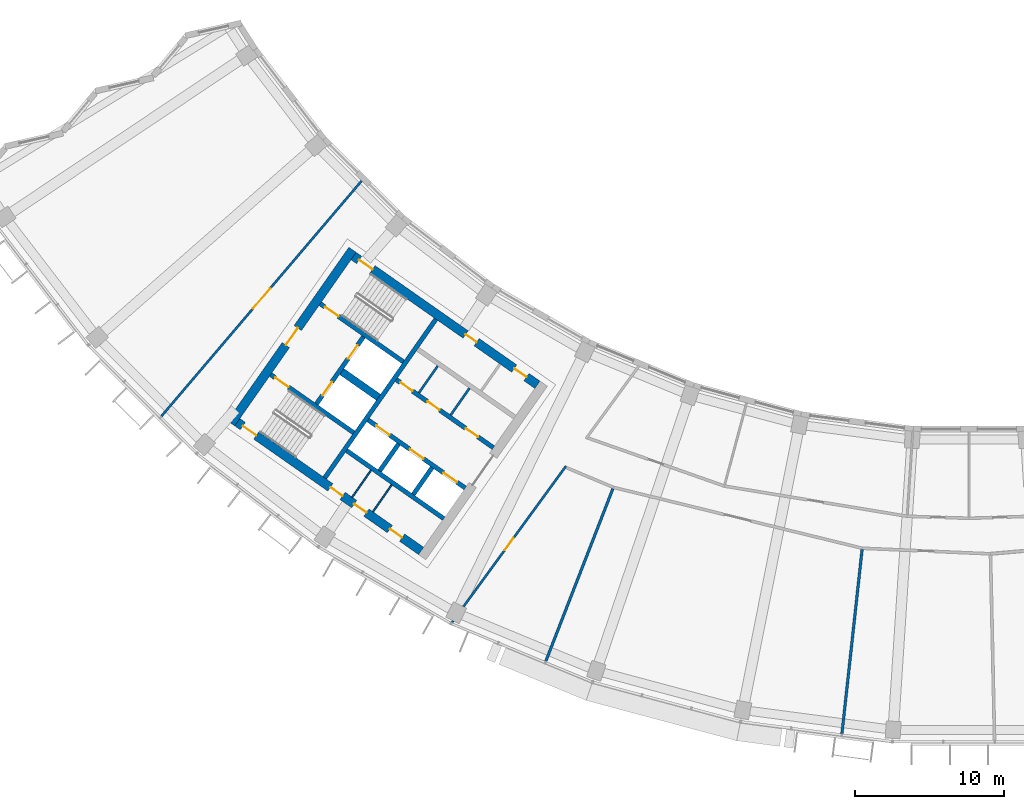
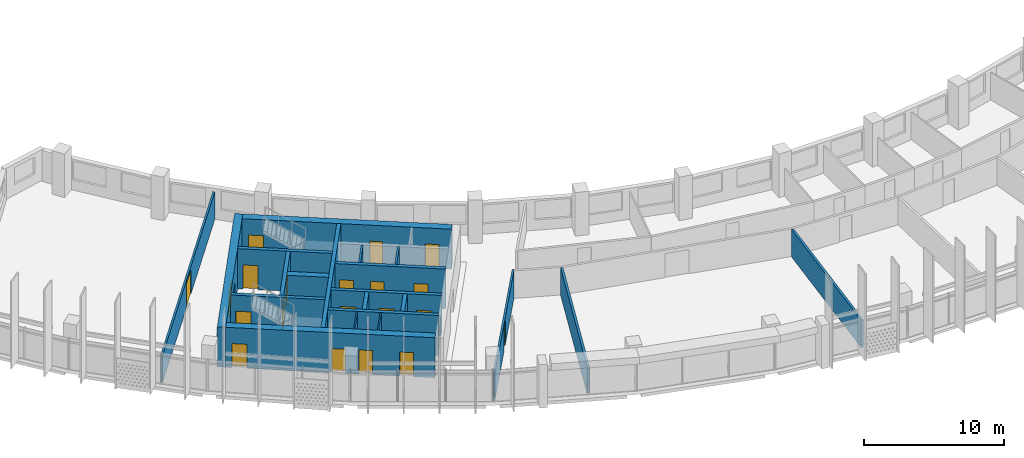
# One storey, part 3 of 28: 21 walls, 20 doors, 20 openings.
"""IFC4 building model written with IfcOpenShell, lengths in metres."""

import ifcopenshell
import ifcopenshell.guid

model = None  # the IFC model being written
_history = None  # IfcOwnerHistory: only IFC2X3 demands one
_inside = {}  # id of a spatial element -> (the spatial element, [elements in it])
_under = {}  # id of a project, library or spatial element -> (it, [spatial elements below it])
_declared = {}  # id of a project -> (the project, [libraries it declares])
_typed = {}  # id of a type object -> (the type object, [elements of that type])
_made_of = {}  # id of a material, layer set ... -> (it, [elements and type objects made of it])


def new_model(schema):
    """Start an empty IFC model of exactly this schema.

    Asked for "IFC4X3", IfcOpenShell would pick the latest addendum, in which some entities
    have other attributes; the version numbers below select the first issue.
    IFC2X3 requires an IfcOwnerHistory on every rooted entity: one is made here for all.
    """
    global model, _history
    if schema == "IFC4X3":
        model = ifcopenshell.file(schema_version=(4, 3, 0, 0))
    else:
        model = ifcopenshell.file(schema=schema)
    _inside.clear()
    _under.clear()
    _declared.clear()
    _typed.clear()
    _made_of.clear()
    _history = None
    if model.schema == "IFC2X3":
        org = make("IfcOrganization", Name="unknown")
        user = make(
            "IfcPersonAndOrganization",
            ThePerson=make("IfcPerson", FamilyName="unknown"),
            TheOrganization=org,
        )
        app = make(
            "IfcApplication",
            ApplicationDeveloper=org,
            Version="unknown",
            ApplicationFullName="unknown",
            ApplicationIdentifier="unknown",
        )
        _history = make(
            "IfcOwnerHistory",
            OwningUser=user,
            OwningApplication=app,
            ChangeAction="ADDED",
            CreationDate=0,
        )
    return model


def make(cls, **values):
    """One entity of the class cls with the attributes given. An attribute that is None is left unset."""
    return model.create_entity(
        cls, **{name: value for name, value in values.items() if value is not None}
    )


def rooted(cls, **values):
    """An entity with a GlobalId (a new one), such as an element, a storey or a relation."""
    return make(cls, GlobalId=ifcopenshell.guid.new(), OwnerHistory=_history, **values)


def si_unit(unit_type, name, prefix=None):
    """IfcSIUnit, for example si_unit("LENGTHUNIT", "METRE", prefix="MILLI")."""
    return make("IfcSIUnit", UnitType=unit_type, Prefix=prefix, Name=name)


def assignment(units):
    """IfcUnitAssignment: the units of a project."""
    return None if units is None else make("IfcUnitAssignment", Units=units)


def point(xyz):
    """IfcCartesianPoint."""
    return None if xyz is None else make("IfcCartesianPoint", Coordinates=xyz)


def direction(xyz):
    """IfcDirection."""
    return None if xyz is None else make("IfcDirection", DirectionRatios=xyz)


def frame(location, z_axis=None, x_axis=None):
    """IfcAxis2Placement3D, a coordinate frame: its origin and axes. An axis left out is left unset."""
    return make(
        "IfcAxis2Placement3D",
        Location=point(location),
        Axis=direction(z_axis),
        RefDirection=direction(x_axis),
    )


def frame_2d(location, x_axis=None):
    """IfcAxis2Placement2D, a coordinate frame in the plane: its origin and x axis."""
    return make(
        "IfcAxis2Placement2D", Location=point(location), RefDirection=direction(x_axis)
    )


def origin():
    """The frame at (0, 0, 0) with its axes left unset."""
    return frame((0.0, 0.0, 0.0))


def place(relative_to, where):
    """IfcLocalPlacement: puts the frame where relative to a parent placement (None: the world)."""
    return make(
        "IfcLocalPlacement", PlacementRelTo=relative_to, RelativePlacement=where
    )


def context(
    kind, dimensions, precision=None, world=None, true_north=None, identifier=None
):
    """IfcGeometricRepresentationContext, for example the 3D "Model" context."""
    return make(
        "IfcGeometricRepresentationContext",
        ContextIdentifier=identifier,
        ContextType=kind,
        CoordinateSpaceDimension=dimensions,
        Precision=precision,
        WorldCoordinateSystem=world,
        TrueNorth=true_north,
    )


def subcontext(parent, identifier, kind, view, scale=None):
    """IfcGeometricRepresentationSubContext, for example "Body" below "Model"."""
    return make(
        "IfcGeometricRepresentationSubContext",
        ContextIdentifier=identifier,
        ContextType=kind,
        ParentContext=parent,
        TargetScale=scale,
        TargetView=view,
    )


def project(units=None, contexts=None):
    """IfcProject with its units and contexts."""
    return rooted(
        "IfcProject",
        Name="project",
        RepresentationContexts=contexts,
        UnitsInContext=assignment(units),
    )


def spatial(cls, under=None, at=None, **own):
    """A site, building, storey or space (cls), placed at a placement, below another one or the project."""
    s = rooted(cls, ObjectPlacement=at, **own)
    if under is not None:
        _under.setdefault(under.id(), (under, []))[1].append(s)
    return s


def profile(cls, at=None, kind="AREA", **sizes):
    """A parametric profile (cls). Its sizes go by their IFC names, for example OverallWidth=200.0."""
    return make(cls, ProfileType=kind, Position=at, **sizes)


def rectangle(**sizes):
    """IfcRectangleProfileDef."""
    return profile("IfcRectangleProfileDef", **sizes)


def extrude(swept, where, along, depth):
    """IfcExtrudedAreaSolid: the profile swept, set in the frame where, extruded along a direction by depth."""
    return make(
        "IfcExtrudedAreaSolid",
        SweptArea=swept,
        Position=where,
        ExtrudedDirection=direction(along),
        Depth=depth,
    )


def shape(context_of_items, identifier, shape_type, items):
    """IfcShapeRepresentation: the items that make up one representation, for example the "Body"."""
    return make(
        "IfcShapeRepresentation",
        ContextOfItems=context_of_items,
        RepresentationIdentifier=identifier,
        RepresentationType=shape_type,
        Items=items,
    )


def material(Name=None, Category=None):
    """IfcMaterial."""
    return make("IfcMaterial", Name=Name, Category=Category)


def layer(
    of_material, thickness, ventilated=None, Name=None, Category=None, Priority=None
):
    """IfcMaterialLayer: one layer of a wall or slab, of a material (None: an air gap)."""
    return make(
        "IfcMaterialLayer",
        Material=of_material,
        LayerThickness=thickness,
        IsVentilated=ventilated,
        Name=Name,
        Category=Category,
        Priority=Priority,
    )


def layer_set(layers, Name=None):
    """IfcMaterialLayerSet."""
    return make("IfcMaterialLayerSet", MaterialLayers=layers, LayerSetName=Name)


def made_of(thing, what):
    """Note that an element or type object is made of a material, layer set ...; save() writes the relation."""
    if what is not None:
        _made_of.setdefault(what.id(), (what, []))[1].append(thing)
    return thing


def type_object(cls, material=None, **own):
    """A type object (cls), such as IfcWallType, which elements share."""
    return made_of(rooted(cls, **own), material)


def element(
    cls,
    number,
    at=None,
    inside=None,
    cuts=None,
    type_object=None,
    material=None,
    context=None,
    identifier="Body",
    shape_type=None,
    held_by="IfcProductDefinitionShape",
    body=None,
    shapes=None,
    **own,
):
    """One element of the class cls, such as IfcWall. Its Tag is "e" and its number.

    at: its placement. inside: the storey or other place that contains it. cuts: it is an
    opening in that element (IfcRelVoidsElement). A single representation is given by context,
    identifier, shape_type and body (its items); several are given by shapes. held_by: the class
    of the entity that holds the representations. save() writes the other relations.
    """
    e = rooted(cls, Tag="e%d" % number, ObjectPlacement=at, **own)
    if body is not None:
        shapes = [shape(context, identifier, shape_type, body)]
    if shapes is not None:
        e.Representation = make(held_by, Representations=shapes)
    if inside is not None:
        _inside.setdefault(inside.id(), (inside, []))[1].append(e)
    if cuts is not None:
        rooted(
            "IfcRelVoidsElement", RelatingBuildingElement=cuts, RelatedOpeningElement=e
        )
    if type_object is not None:
        _typed.setdefault(type_object.id(), (type_object, []))[1].append(e)
    return made_of(e, material)


def fill(opening, filler):
    """IfcRelFillsElement: the door or window that sits in an opening."""
    return rooted(
        "IfcRelFillsElement",
        RelatingOpeningElement=opening,
        RelatedBuildingElement=filler,
    )


def aggregate(whole, parts):
    """IfcRelAggregates: a whole, such as a stair, and the parts it consists of."""
    return rooted("IfcRelAggregates", RelatingObject=whole, RelatedObjects=parts)


def save(model, path):
    """Write the relations noted so far, then the file.

    IfcRelAggregates (storeys below a building ...), IfcRelContainedInSpatialStructure (elements
    in a storey), IfcRelDefinesByType, IfcRelAssociatesMaterial and IfcRelDeclares: one each for
    every whole, place, type object, material and project.
    """
    for whole, parts in _under.values():
        aggregate(whole, parts)
    for where, things in _inside.values():
        rooted(
            "IfcRelContainedInSpatialStructure",
            RelatedElements=things,
            RelatingStructure=where,
        )
    for kind, things in _typed.values():
        rooted("IfcRelDefinesByType", RelatedObjects=things, RelatingType=kind)
    for what, things in _made_of.values():
        rooted("IfcRelAssociatesMaterial", RelatedObjects=things, RelatingMaterial=what)
    for by, libraries in _declared.values():
        rooted("IfcRelDeclares", RelatingContext=by, RelatedDefinitions=libraries)
    model.write(path)


model = new_model("IFC4")

# Units and contexts
model_context = context("Model", 3, precision=1e-05, world=origin(), true_north=direction((0.0, 1.0)))
body_context = subcontext(model_context, "Body", "Model", "MODEL_VIEW")
ifc_project = project(units=[si_unit("LENGTHUNIT", "METRE"), si_unit("AREAUNIT", "SQUARE_METRE"), si_unit("VOLUMEUNIT", "CUBIC_METRE"), si_unit("PLANEANGLEUNIT", "RADIAN"), si_unit("MASSUNIT", "GRAM", prefix="KILO")], contexts=[model_context])

# Site, building, storey
site_placement = place(None, origin())
site = spatial("IfcSite", under=ifc_project, at=site_placement, CompositionType="ELEMENT")
building_placement = place(site_placement, origin())
building = spatial("IfcBuilding", under=site, at=building_placement, Name="Qamariyya Broadcast Tower", CompositionType="ELEMENT")
storey_placement = place(building_placement, frame((0.0, 0.0, 234.10009765625)))
storey = spatial("IfcBuildingStorey", under=building, at=storey_placement, Name="L56", CompositionType="ELEMENT", Elevation=234.10009765625)

# Wall, opening, door
ifc_material_1 = material(Name="Concrete C60/75", Category="concrete")
ifc_layer_1 = layer(ifc_material_1, 0.60009765625)
ifc_layer_set_1 = layer_set([ifc_layer_1], Name="Core wall 600 mm Concrete C60/75")
wall_type_1 = type_object("IfcWallType", Name="Core wall 600 mm Concrete C60/75", PredefinedType="SHEAR", material=ifc_layer_set_1)
wall_1_placement = place(storey_placement, frame((-49.4833984375, -57.031494140625, 0.0), z_axis=(0.0, 0.0, 1.0), x_axis=(0.573560421458, 0.819163257805, 0.0)))
wall_1 = element("IfcWall", 1, at=wall_1_placement, inside=storey, type_object=wall_type_1, Name="k-W-L56-WH", PredefinedType="SHEAR", context=body_context, shape_type="SweptSolid", body=[
    extrude(rectangle(XDim=14.199951171875, YDim=0.60009765625, at=frame_2d((7.10009765625, 0.0))), origin(), (0.0, 0.0, 1.0), 3.5),
])
opening_1_placement = place(wall_1_placement, frame((6.39990234375, 0.0, 0.0)))
opening_1 = element("IfcOpeningElement", 2, at=opening_1_placement, cuts=wall_1, Name="Opening KD2-W1", PredefinedType="OPENING", context=body_context, shape_type="SweptSolid", body=[
    extrude(rectangle(XDim=1.39990234375, YDim=2.10009765625, at=frame_2d((0.699951171875, 1.050048828125))), frame((0.0, 0.31005859375, 0.0), z_axis=(0.0, -1.0, 0.0), x_axis=(1.0, 0.0, 0.0)), (0.0, 0.0, 1.0), 0.6201171875),
])
ifc_material_2 = material(Name="Steel fire-resisting door leaf", Category="steel")
door_type_1 = type_object("IfcDoorType", Name="Fire-fighting lobby door KD2", OperationType="DOUBLE_DOOR_SINGLE_SWING", PredefinedType="DOOR", material=ifc_material_2)
door_1_placement = place(opening_1_placement, origin())
door_1 = element("IfcDoor", 3, at=door_1_placement, inside=storey, type_object=door_type_1, Name="k-W-L56-WH-D15", OperationType="DOUBLE_DOOR_SINGLE_SWING", OverallHeight=2.10009765625, OverallWidth=1.39990234375, PredefinedType="DOOR", context=body_context, shape_type="SweptSolid", body=[
    extrude(rectangle(XDim=1.39990234375, YDim=2.10009765625, at=frame_2d((0.699951171875, 1.050048828125))), frame((0.0, 0.02490234375, 0.0), z_axis=(0.0, -1.0, 0.0), x_axis=(1.0, 0.0, 0.0)), (0.0, 0.0, 1.0), 0.050048828125),
])
fill(opening_1, door_1)

# Wall, openings, doors
wall_2_placement = place(storey_placement, frame((-28.940673828125, -54.447021484375, 0.0), z_axis=(0.0, 0.0, 1.0), x_axis=(-0.819153391756, 0.573574511963, 0.0)))
wall_2 = element("IfcWall", 4, at=wall_2_placement, inside=storey, type_object=wall_type_1, Name="k-W-L56-WI", PredefinedType="SHEAR", context=body_context, shape_type="SweptSolid", body=[
    extrude(rectangle(XDim=15.04541015625, YDim=0.60009765625, at=frame_2d((7.522705078125, 0.0))), origin(), (0.0, 0.0, 1.0), 3.5),
])
opening_2_placement = place(wall_2_placement, frame((0.89990234375, 0.0, 0.0)))
opening_2 = element("IfcOpeningElement", 5, at=opening_2_placement, cuts=wall_2, Name="Opening KD7-W1", PredefinedType="OPENING", context=body_context, shape_type="SweptSolid", body=[
    extrude(rectangle(XDim=1.0, YDim=2.10009765625, at=frame_2d((0.5, 1.050048828125))), frame((0.0, 0.31005859375, 0.0), z_axis=(0.0, -1.0, 0.0), x_axis=(1.0, 0.0, 0.0)), (0.0, 0.0, 1.0), 0.6201171875),
])
opening_3_placement = place(wall_2_placement, frame((4.97509765625, 0.0, 0.0)))
opening_3 = element("IfcOpeningElement", 6, at=opening_3_placement, cuts=wall_2, Name="Opening KD5-W1", PredefinedType="OPENING", context=body_context, shape_type="SweptSolid", body=[
    extrude(rectangle(XDim=0.89990234375, YDim=2.10009765625, at=frame_2d((0.449951171875, 1.050048828125))), frame((0.0, 0.31005859375, 0.0), z_axis=(0.0, -1.0, 0.0), x_axis=(1.0, 0.0, 0.0)), (0.0, 0.0, 1.0), 0.6201171875),
])
opening_4_placement = place(wall_2_placement, frame((13.495361328125, 0.0, 0.0)))
opening_4 = element("IfcOpeningElement", 7, at=opening_4_placement, cuts=wall_2, Name="Opening KD1-W1", PredefinedType="OPENING", context=body_context, shape_type="SweptSolid", body=[
    extrude(rectangle(XDim=1.10009765625, YDim=2.10009765625, at=frame_2d((0.550048828125, 1.050048828125))), frame((0.0, 0.31005859375, 0.0), z_axis=(0.0, -1.0, 0.0), x_axis=(1.0, 0.0, 0.0)), (0.0, 0.0, 1.0), 0.6201171875),
])
door_type_2 = type_object("IfcDoorType", Name="Accessible toilet door KD7", OperationType="SINGLE_SWING_LEFT", PredefinedType="DOOR", material=ifc_material_2)
door_2_placement = place(opening_2_placement, origin())
door_2 = element("IfcDoor", 8, at=door_2_placement, inside=storey, type_object=door_type_2, Name="k-W-L56-WI-D8", OperationType="SINGLE_SWING_LEFT", OverallHeight=2.10009765625, OverallWidth=1.0, PredefinedType="DOOR", context=body_context, shape_type="SweptSolid", body=[
    extrude(rectangle(XDim=1.0, YDim=2.10009765625, at=frame_2d((0.5, 1.050048828125))), frame((0.0, 0.02490234375, 0.0), z_axis=(0.0, -1.0, 0.0), x_axis=(1.0, 0.0, 0.0)), (0.0, 0.0, 1.0), 0.050048828125),
])
fill(opening_2, door_2)
door_type_3 = type_object("IfcDoorType", Name="Stair door KD1", OperationType="SINGLE_SWING_LEFT", PredefinedType="DOOR", material=ifc_material_2)
door_3_placement = place(opening_4_placement, origin())
door_3 = element("IfcDoor", 9, at=door_3_placement, inside=storey, type_object=door_type_3, Name="k-W-L56-WI-D16", OperationType="SINGLE_SWING_RIGHT", OverallHeight=2.10009765625, OverallWidth=1.10009765625, PredefinedType="DOOR", context=body_context, shape_type="SweptSolid", body=[
    extrude(rectangle(XDim=1.10009765625, YDim=2.10009765625, at=frame_2d((0.550048828125, 1.050048828125))), frame((0.0, 0.02490234375, 0.0), z_axis=(0.0, -1.0, 0.0), x_axis=(1.0, 0.0, 0.0)), (0.0, 0.0, 1.0), 0.050048828125),
])
fill(opening_4, door_3)
door_type_4 = type_object("IfcDoorType", Name="Toilet door KD5", OperationType="SINGLE_SWING_LEFT", PredefinedType="DOOR", material=ifc_material_2)
door_4_placement = place(opening_3_placement, origin())
door_4 = element("IfcDoor", 10, at=door_4_placement, inside=storey, type_object=door_type_4, Name="k-W-L56-WI-D9", OperationType="SINGLE_SWING_RIGHT", OverallHeight=2.10009765625, OverallWidth=0.89990234375, PredefinedType="DOOR", context=body_context, shape_type="SweptSolid", body=[
    extrude(rectangle(XDim=0.89990234375, YDim=2.10009765625, at=frame_2d((0.449951171875, 1.050048828125))), frame((0.0, 0.02490234375, 0.0), z_axis=(0.0, -1.0, 0.0), x_axis=(1.0, 0.0, 0.0)), (0.0, 0.0, 1.0), 0.050048828125),
])
fill(opening_3, door_4)

wall_3_placement = place(storey_placement, frame((-36.7412109375, -65.58740234375, 0.0), z_axis=(0.0, 0.0, 1.0), x_axis=(-0.819153391756, 0.573574511963, 0.0)))
wall_3 = element("IfcWall", 11, at=wall_3_placement, inside=storey, type_object=wall_type_1, Name="k-W-L56-WO", PredefinedType="SHEAR", context=body_context, shape_type="SweptSolid", body=[
    extrude(rectangle(XDim=15.04541015625, YDim=0.60009765625, at=frame_2d((7.522705078125, 0.0))), origin(), (0.0, 0.0, 1.0), 3.5),
])
opening_5_placement = place(wall_3_placement, frame((1.550048828125, 0.0, 0.0)))
opening_5 = element("IfcOpeningElement", 12, at=opening_5_placement, cuts=wall_3, Name="Opening KD4-W2", PredefinedType="OPENING", context=body_context, shape_type="SweptSolid", body=[
    extrude(rectangle(XDim=1.0, YDim=2.10009765625, at=frame_2d((0.5, 1.050048828125))), frame((0.0, 0.31005859375, 0.0), z_axis=(0.0, -1.0, 0.0), x_axis=(1.0, 0.0, 0.0)), (0.0, 0.0, 1.0), 0.6201171875),
])
opening_6_placement = place(wall_3_placement, frame((4.47509765625, 0.0, 0.0)))
opening_6 = element("IfcOpeningElement", 13, at=opening_6_placement, cuts=wall_3, Name="Opening KD4-W3", PredefinedType="OPENING", context=body_context, shape_type="SweptSolid", body=[
    extrude(rectangle(XDim=1.0, YDim=2.10009765625, at=frame_2d((0.5, 1.050048828125))), frame((0.0, 0.31005859375, 0.0), z_axis=(0.0, -1.0, 0.0), x_axis=(1.0, 0.0, 0.0)), (0.0, 0.0, 1.0), 0.6201171875),
])
opening_7_placement = place(wall_3_placement, frame((6.425048828125, 0.0, 0.0)))
opening_7 = element("IfcOpeningElement", 14, at=opening_7_placement, cuts=wall_3, Name="Opening KD4-W4", PredefinedType="OPENING", context=body_context, shape_type="SweptSolid", body=[
    extrude(rectangle(XDim=1.0, YDim=2.10009765625, at=frame_2d((0.5, 1.050048828125))), frame((0.0, 0.31005859375, 0.0), z_axis=(0.0, -1.0, 0.0), x_axis=(1.0, 0.0, 0.0)), (0.0, 0.0, 1.0), 0.6201171875),
])
opening_8_placement = place(wall_3_placement, frame((13.495361328125, 0.0, 0.0)))
opening_8 = element("IfcOpeningElement", 15, at=opening_8_placement, cuts=wall_3, Name="Opening KD1-W3", PredefinedType="OPENING", context=body_context, shape_type="SweptSolid", body=[
    extrude(rectangle(XDim=1.10009765625, YDim=2.10009765625, at=frame_2d((0.550048828125, 1.050048828125))), frame((0.0, 0.31005859375, 0.0), z_axis=(0.0, -1.0, 0.0), x_axis=(1.0, 0.0, 0.0)), (0.0, 0.0, 1.0), 0.6201171875),
])
door_type_5 = type_object("IfcDoorType", Name="Riser and plant door KD4", OperationType="SINGLE_SWING_LEFT", PredefinedType="DOOR", material=ifc_material_2)
door_5_placement = place(opening_5_placement, origin())
door_5 = element("IfcDoor", 16, at=door_5_placement, inside=storey, type_object=door_type_5, Name="k-W-L56-WO-D10", OperationType="SINGLE_SWING_LEFT", OverallHeight=2.10009765625, OverallWidth=1.0, PredefinedType="DOOR", context=body_context, shape_type="SweptSolid", body=[
    extrude(rectangle(XDim=1.0, YDim=2.10009765625, at=frame_2d((0.5, 1.050048828125))), frame((0.0, 0.02490234375, 0.0), z_axis=(0.0, -1.0, 0.0), x_axis=(1.0, 0.0, 0.0)), (0.0, 0.0, 1.0), 0.050048828125),
])
fill(opening_5, door_5)
door_6_placement = place(opening_6_placement, origin())
door_6 = element("IfcDoor", 17, at=door_6_placement, inside=storey, type_object=door_type_5, Name="k-W-L56-WO-D11", OperationType="SINGLE_SWING_RIGHT", OverallHeight=2.10009765625, OverallWidth=1.0, PredefinedType="DOOR", context=body_context, shape_type="SweptSolid", body=[
    extrude(rectangle(XDim=1.0, YDim=2.10009765625, at=frame_2d((0.5, 1.050048828125))), frame((0.0, 0.02490234375, 0.0), z_axis=(0.0, -1.0, 0.0), x_axis=(1.0, 0.0, 0.0)), (0.0, 0.0, 1.0), 0.050048828125),
])
fill(opening_6, door_6)
door_7_placement = place(opening_7_placement, origin())
door_7 = element("IfcDoor", 18, at=door_7_placement, inside=storey, type_object=door_type_5, Name="k-W-L56-WO-D12", OperationType="SINGLE_SWING_LEFT", OverallHeight=2.10009765625, OverallWidth=1.0, PredefinedType="DOOR", context=body_context, shape_type="SweptSolid", body=[
    extrude(rectangle(XDim=1.0, YDim=2.10009765625, at=frame_2d((0.5, 1.050048828125))), frame((0.0, 0.02490234375, 0.0), z_axis=(0.0, -1.0, 0.0), x_axis=(1.0, 0.0, 0.0)), (0.0, 0.0, 1.0), 0.050048828125),
])
fill(opening_7, door_7)
door_8_placement = place(opening_8_placement, origin())
door_8 = element("IfcDoor", 19, at=door_8_placement, inside=storey, type_object=door_type_3, Name="k-W-L56-WO-D18", OperationType="SINGLE_SWING_LEFT", OverallHeight=2.10009765625, OverallWidth=1.10009765625, PredefinedType="DOOR", context=body_context, shape_type="SweptSolid", body=[
    extrude(rectangle(XDim=1.10009765625, YDim=2.10009765625, at=frame_2d((0.550048828125, 1.050048828125))), frame((0.0, 0.02490234375, 0.0), z_axis=(0.0, -1.0, 0.0), x_axis=(1.0, 0.0, 0.0)), (0.0, 0.0, 1.0), 0.050048828125),
])
fill(opening_8, door_8)

# Wall, opening, door
ifc_material_3 = material(Name="Gypsum board partition")
ifc_layer_2 = layer(ifc_material_3, 0.14990234375)
ifc_layer_set_2 = layer_set([ifc_layer_2], Name="Corridor partition 150 EI 60")
wall_type_2 = type_object("IfcWallType", Name="Corridor partition 150 EI 60", PredefinedType="PARTITIONING", material=ifc_layer_set_2)
wall_4_placement = place(storey_placement, frame((-54.15283203125, -56.554931640625, 0.0), z_axis=(0.0, 0.0, 1.0), x_axis=(0.647962636986, 0.761672121762, 0.0)))
wall_4 = element("IfcWall", 20, at=wall_4_placement, inside=storey, type_object=wall_type_2, Name="Partition L56-001", PredefinedType="PARTITIONING", context=body_context, shape_type="SweptSolid", body=[
    extrude(rectangle(XDim=20.723388671875, YDim=0.14990234375, at=frame_2d((10.36181640625, 0.0))), origin(), (0.0, 0.0, 1.0), 2.39990234375),
])
opening_9_placement = place(wall_4_placement, frame((9.461669921875, 0.0, 0.0)))
opening_9 = element("IfcOpeningElement", 21, at=opening_9_placement, cuts=wall_4, Name="Opening L56-D13", PredefinedType="OPENING", context=body_context, shape_type="SweptSolid", body=[
    extrude(rectangle(XDim=1.800048828125, YDim=2.10009765625, at=frame_2d((0.89990234375, 1.050048828125))), frame((0.0, 0.0849609375, 0.0), z_axis=(0.0, -1.0, 0.0), x_axis=(1.0, 0.0, 0.0)), (0.0, 0.0, 1.0), 0.169921875),
])
ifc_material_4 = material(Name="Timber fire door leaf", Category="wood")
door_type_6 = type_object("IfcDoorType", Name="Double fire door 1800 x 2100 FD60", OperationType="NOTDEFINED", PredefinedType="DOOR", material=ifc_material_4)
door_9_placement = place(opening_9_placement, origin())
door_9 = element("IfcDoor", 22, at=door_9_placement, inside=storey, type_object=door_type_6, Name="Door L56-D13", OperationType="DOUBLE_DOOR_SINGLE_SWING", OverallHeight=2.10009765625, OverallWidth=1.800048828125, PredefinedType="DOOR", context=body_context, shape_type="SweptSolid", body=[
    extrude(rectangle(XDim=1.800048828125, YDim=2.10009765625, at=frame_2d((0.89990234375, 1.050048828125))), frame((0.0, 0.02490234375, 0.0), z_axis=(0.0, -1.0, 0.0), x_axis=(1.0, 0.0, 0.0)), (0.0, 0.0, 1.0), 0.050048828125),
])
fill(opening_9, door_9)

wall_5_placement = place(storey_placement, frame((-27.024658203125, -59.897705078125, 0.0), z_axis=(0.0, 0.0, 1.0), x_axis=(-0.5892768598, -0.807931174361, 0.0)))
wall_5 = element("IfcWall", 23, at=wall_5_placement, inside=storey, type_object=wall_type_2, Name="Partition L56-003", PredefinedType="PARTITIONING", context=body_context, shape_type="SweptSolid", body=[
    extrude(rectangle(XDim=12.97119140625, YDim=0.14990234375, at=frame_2d((6.485595703125, 0.0))), origin(), (0.0, 0.0, 1.0), 2.39990234375),
])
opening_10_placement = place(wall_5_placement, frame((5.985595703125, 0.0, 0.0)))
opening_10 = element("IfcOpeningElement", 24, at=opening_10_placement, cuts=wall_5, Name="Opening L56-D01", PredefinedType="OPENING", context=body_context, shape_type="SweptSolid", body=[
    extrude(rectangle(XDim=1.0, YDim=2.10009765625, at=frame_2d((0.5, 1.050048828125))), frame((0.0, 0.0849609375, 0.0), z_axis=(0.0, -1.0, 0.0), x_axis=(1.0, 0.0, 0.0)), (0.0, 0.0, 1.0), 0.169921875),
])
door_type_7 = type_object("IfcDoorType", Name="Fire door 1000 x 2100 FD60", OperationType="NOTDEFINED", PredefinedType="DOOR", material=ifc_material_4)
door_10_placement = place(opening_10_placement, origin())
door_10 = element("IfcDoor", 25, at=door_10_placement, inside=storey, type_object=door_type_7, Name="Door L56-D01", OperationType="SINGLE_SWING_RIGHT", OverallHeight=2.10009765625, OverallWidth=1.0, PredefinedType="DOOR", context=body_context, shape_type="SweptSolid", body=[
    extrude(rectangle(XDim=1.0, YDim=2.10009765625, at=frame_2d((0.5, 1.050048828125))), frame((0.0, 0.02490234375, 0.0), z_axis=(0.0, -1.0, 0.0), x_axis=(1.0, 0.0, 0.0)), (0.0, 0.0, 1.0), 0.050048828125),
])
fill(opening_10, door_10)

# Walls
ifc_layer_3 = layer(ifc_material_1, 0.5)
ifc_layer_set_3 = layer_set([ifc_layer_3], Name="Fire-fighting lobby divider wall 500 mm Concrete C60/75")
wall_type_3 = type_object("IfcWallType", Name="Fire-fighting lobby divider wall 500 mm Concrete C60/75", PredefinedType="SOLIDWALL", material=ifc_layer_set_3)
wall_6_placement = place(storey_placement, frame((-39.59912109375, -55.28515625, 0.0), z_axis=(0.0, 0.0, 1.0), x_axis=(-0.819136323161, 0.573598887793, 0.0)))
element("IfcWall", 26, at=wall_6_placement, inside=storey, type_object=wall_type_3, Name="k-W-L56-FD", PredefinedType="SOLIDWALL", context=body_context, shape_type="SweptSolid", body=[
    extrude(rectangle(XDim=2.999755859375, YDim=0.5, at=frame_2d((1.5, 0.0))), origin(), (0.0, 0.0, 1.0), 3.5),
])
ifc_material_5 = material(Name="Gypsum board partition on steel studs", Category="steel")
ifc_layer_4 = layer(ifc_material_5, 0.14990234375)
ifc_layer_set_4 = layer_set([ifc_layer_4], Name="Gypsum board partition 150 mm")
wall_type_4 = type_object("IfcWallType", Name="Gypsum board partition 150 mm", PredefinedType="PARTITIONING", material=ifc_layer_set_4)
for number, where, z_axis, x_axis, name in (
    (27, (-34.757568359375, -56.477783203125, 0.0), (0.0, 0.0, 1.0), (0.573633636671, 0.819111989218, 0.0), "k-W-L56-NC360"),
    (28, (-36.88720703125, -54.986572265625, 0.0), (0.0, 0.0, 1.0), (0.573507030513, 0.819200638399, 0.0), "k-W-L56-NC620"),
):
    element("IfcWall", number, at=place(storey_placement, frame(where, z_axis=z_axis, x_axis=x_axis)), inside=storey, type_object=wall_type_4, Name=name, PredefinedType="PARTITIONING", context=body_context, shape_type="SweptSolid", body=[
        extrude(rectangle(XDim=2.199951171875, YDim=0.14990234375, at=frame_2d((1.10009765625, 0.0))), origin(), (0.0, 0.0, 1.0), 3.5),
    ])
ifc_layer_5 = layer(ifc_material_1, 0.300048828125)
ifc_layer_set_5 = layer_set([ifc_layer_5], Name="Lift shaft wall 300 mm Concrete C60/75")
wall_type_5 = type_object("IfcWallType", Name="Lift shaft wall 300 mm Concrete C60/75", PredefinedType="SOLIDWALL", material=ifc_layer_set_5)
wall_7_placement = place(storey_placement, frame((-43.204345703125, -60.69580078125, 0.0), z_axis=(0.0, 0.0, 1.0), x_axis=(0.573571992966, 0.819155155563, 0.0)))
element("IfcWall", 29, at=wall_7_placement, inside=storey, type_object=wall_type_5, Name="k-W-L56-WL", PredefinedType="SOLIDWALL", context=body_context, shape_type="SweptSolid", body=[
    extrude(rectangle(XDim=13.000244140625, YDim=0.300048828125, at=frame_2d((6.5, 0.0))), origin(), (0.0, 0.0, 1.0), 3.5),
])

# Wall, openings, doors
wall_8_placement = place(storey_placement, frame((-31.89453125, -58.66552734375, 0.0), z_axis=(0.0, 0.0, 1.0), x_axis=(-0.819166993208, 0.573555086491, 0.0)))
wall_8 = element("IfcWall", 30, at=wall_8_placement, inside=storey, type_object=wall_type_5, Name="k-W-L56-NF0", PredefinedType="SOLIDWALL", context=body_context, shape_type="SweptSolid", body=[
    extrude(rectangle(XDim=7.9501953125, YDim=0.300048828125, at=frame_2d((3.97509765625, 0.0))), origin(), (0.0, 0.0, 1.0), 3.5),
])
opening_11_placement = place(wall_8_placement, frame((1.262451171875, 0.0, 0.0)))
opening_11 = element("IfcOpeningElement", 31, at=opening_11_placement, cuts=wall_8, Name="Opening KD4-W1", PredefinedType="OPENING", context=body_context, shape_type="SweptSolid", body=[
    extrude(rectangle(XDim=1.0, YDim=2.10009765625, at=frame_2d((0.5, 1.050048828125))), frame((0.0, 0.159912109375, 0.0), z_axis=(0.0, -1.0, 0.0), x_axis=(1.0, 0.0, 0.0)), (0.0, 0.0, 1.0), 0.320068359375),
])
opening_12_placement = place(wall_8_placement, frame((4.39990234375, 0.0, 0.0)))
opening_12 = element("IfcOpeningElement", 32, at=opening_12_placement, cuts=wall_8, Name="Opening KD6-W1", PredefinedType="OPENING", context=body_context, shape_type="SweptSolid", body=[
    extrude(rectangle(XDim=1.0, YDim=2.10009765625, at=frame_2d((0.5, 1.050048828125))), frame((0.0, 0.159912109375, 0.0), z_axis=(0.0, -1.0, 0.0), x_axis=(1.0, 0.0, 0.0)), (0.0, 0.0, 1.0), 0.320068359375),
])
opening_13_placement = place(wall_8_placement, frame((6.612548828125, 0.0, 0.0)))
opening_13 = element("IfcOpeningElement", 33, at=opening_13_placement, cuts=wall_8, Name="Opening KD6-W2", PredefinedType="OPENING", context=body_context, shape_type="SweptSolid", body=[
    extrude(rectangle(XDim=1.0, YDim=2.10009765625, at=frame_2d((0.5, 1.050048828125))), frame((0.0, 0.159912109375, 0.0), z_axis=(0.0, -1.0, 0.0), x_axis=(1.0, 0.0, 0.0)), (0.0, 0.0, 1.0), 0.320068359375),
])
door_type_8 = type_object("IfcDoorType", Name="Core room door KD6", OperationType="SINGLE_SWING_LEFT", PredefinedType="DOOR", material=ifc_material_2)
door_11_placement = place(opening_12_placement, origin())
door_11 = element("IfcDoor", 34, at=door_11_placement, inside=storey, type_object=door_type_8, Name="k-W-L56-NF0-D3", OperationType="SINGLE_SWING_RIGHT", OverallHeight=2.10009765625, OverallWidth=1.0, PredefinedType="DOOR", context=body_context, shape_type="SweptSolid", body=[
    extrude(rectangle(XDim=1.0, YDim=2.10009765625, at=frame_2d((0.5, 1.050048828125))), frame((0.0, 0.02490234375, 0.0), z_axis=(0.0, -1.0, 0.0), x_axis=(1.0, 0.0, 0.0)), (0.0, 0.0, 1.0), 0.050048828125),
])
fill(opening_12, door_11)
door_12_placement = place(opening_13_placement, origin())
door_12 = element("IfcDoor", 35, at=door_12_placement, inside=storey, type_object=door_type_8, Name="k-W-L56-NF0-D4", OperationType="SINGLE_SWING_LEFT", OverallHeight=2.10009765625, OverallWidth=1.0, PredefinedType="DOOR", context=body_context, shape_type="SweptSolid", body=[
    extrude(rectangle(XDim=1.0, YDim=2.10009765625, at=frame_2d((0.5, 1.050048828125))), frame((0.0, 0.02490234375, 0.0), z_axis=(0.0, -1.0, 0.0), x_axis=(1.0, 0.0, 0.0)), (0.0, 0.0, 1.0), 0.050048828125),
])
fill(opening_13, door_12)
door_13_placement = place(opening_11_placement, origin())
door_13 = element("IfcDoor", 36, at=door_13_placement, inside=storey, type_object=door_type_5, Name="k-W-L56-NF0-D2", OperationType="SINGLE_SWING_LEFT", OverallHeight=2.10009765625, OverallWidth=1.0, PredefinedType="DOOR", context=body_context, shape_type="SweptSolid", body=[
    extrude(rectangle(XDim=1.0, YDim=2.10009765625, at=frame_2d((0.5, 1.050048828125))), frame((0.0, 0.02490234375, 0.0), z_axis=(0.0, -1.0, 0.0), x_axis=(1.0, 0.0, 0.0)), (0.0, 0.0, 1.0), 0.050048828125),
])
fill(opening_11, door_13)

wall_9_placement = place(storey_placement, frame((-33.787353515625, -61.368896484375, 0.0), z_axis=(0.0, 0.0, 1.0), x_axis=(-0.819152564888, 0.573575692858, 0.0)))
wall_9 = element("IfcWall", 37, at=wall_9_placement, inside=storey, type_object=wall_type_5, Name="k-W-L56-SF0", PredefinedType="SOLIDWALL", context=body_context, shape_type="SweptSolid", body=[
    extrude(rectangle(XDim=7.9501953125, YDim=0.300048828125, at=frame_2d((3.97509765625, 0.0))), origin(), (0.0, 0.0, 1.0), 3.5),
])
opening_14_placement = place(wall_9_placement, frame((0.675048828125, 0.0, 0.0)))
opening_14 = element("IfcOpeningElement", 38, at=opening_14_placement, cuts=wall_9, Name="Opening LD", PredefinedType="OPENING", context=body_context, shape_type="SweptSolid", body=[
    extrude(rectangle(XDim=1.10009765625, YDim=2.10009765625, at=frame_2d((0.550048828125, 1.050048828125))), frame((0.0, 0.159912109375, 0.0), z_axis=(0.0, -1.0, 0.0), x_axis=(1.0, 0.0, 0.0)), (0.0, 0.0, 1.0), 0.320068359375),
])
opening_15_placement = place(wall_9_placement, frame((3.425048828125, 0.0, 0.0)))
opening_15 = element("IfcOpeningElement", 39, at=opening_15_placement, cuts=wall_9, Name="Opening LD", PredefinedType="OPENING", context=body_context, shape_type="SweptSolid", body=[
    extrude(rectangle(XDim=1.10009765625, YDim=2.10009765625, at=frame_2d((0.550048828125, 1.050048828125))), frame((0.0, 0.159912109375, 0.0), z_axis=(0.0, -1.0, 0.0), x_axis=(1.0, 0.0, 0.0)), (0.0, 0.0, 1.0), 0.320068359375),
])
opening_16_placement = place(wall_9_placement, frame((6.175048828125, 0.0, 0.0)))
opening_16 = element("IfcOpeningElement", 40, at=opening_16_placement, cuts=wall_9, Name="Opening LD", PredefinedType="OPENING", context=body_context, shape_type="SweptSolid", body=[
    extrude(rectangle(XDim=1.10009765625, YDim=2.10009765625, at=frame_2d((0.550048828125, 1.050048828125))), frame((0.0, 0.159912109375, 0.0), z_axis=(0.0, -1.0, 0.0), x_axis=(1.0, 0.0, 0.0)), (0.0, 0.0, 1.0), 0.320068359375),
])
door_type_9 = type_object("IfcDoorType", Name="Lift landing door LD", OperationType="DOUBLE_DOOR_SLIDING", PredefinedType="DOOR", material=ifc_material_2)
door_14_placement = place(opening_14_placement, origin())
door_14 = element("IfcDoor", 41, at=door_14_placement, inside=storey, type_object=door_type_9, Name="k-W-L56-SF0-D5", OperationType="DOUBLE_DOOR_SLIDING", OverallHeight=2.10009765625, OverallWidth=1.10009765625, PredefinedType="DOOR", context=body_context, shape_type="SweptSolid", body=[
    extrude(rectangle(XDim=1.10009765625, YDim=2.10009765625, at=frame_2d((0.550048828125, 1.050048828125))), frame((0.0, 0.02490234375, 0.0), z_axis=(0.0, -1.0, 0.0), x_axis=(1.0, 0.0, 0.0)), (0.0, 0.0, 1.0), 0.050048828125),
])
fill(opening_14, door_14)
door_15_placement = place(opening_15_placement, origin())
door_15 = element("IfcDoor", 42, at=door_15_placement, inside=storey, type_object=door_type_9, Name="k-W-L56-SF0-D6", OperationType="DOUBLE_DOOR_SLIDING", OverallHeight=2.10009765625, OverallWidth=1.10009765625, PredefinedType="DOOR", context=body_context, shape_type="SweptSolid", body=[
    extrude(rectangle(XDim=1.10009765625, YDim=2.10009765625, at=frame_2d((0.550048828125, 1.050048828125))), frame((0.0, 0.02490234375, 0.0), z_axis=(0.0, -1.0, 0.0), x_axis=(1.0, 0.0, 0.0)), (0.0, 0.0, 1.0), 0.050048828125),
])
fill(opening_15, door_15)
door_16_placement = place(opening_16_placement, origin())
door_16 = element("IfcDoor", 43, at=door_16_placement, inside=storey, type_object=door_type_9, Name="k-W-L56-SF0-D7", OperationType="DOUBLE_DOOR_SLIDING", OverallHeight=2.10009765625, OverallWidth=1.10009765625, PredefinedType="DOOR", context=body_context, shape_type="SweptSolid", body=[
    extrude(rectangle(XDim=1.10009765625, YDim=2.10009765625, at=frame_2d((0.550048828125, 1.050048828125))), frame((0.0, 0.02490234375, 0.0), z_axis=(0.0, -1.0, 0.0), x_axis=(1.0, 0.0, 0.0)), (0.0, 0.0, 1.0), 0.050048828125),
])
fill(opening_16, door_16)

# Walls
wall_10_placement = place(storey_placement, frame((-35.22119140625, -63.41650390625, 0.0), z_axis=(0.0, 0.0, 1.0), x_axis=(-0.819166993208, 0.573555086491, 0.0)))
element("IfcWall", 44, at=wall_10_placement, inside=storey, type_object=wall_type_5, Name="k-W-L56-SB0", PredefinedType="SOLIDWALL", context=body_context, shape_type="SweptSolid", body=[
    extrude(rectangle(XDim=7.9501953125, YDim=0.300048828125, at=frame_2d((3.97509765625, 0.0))), origin(), (0.0, 0.0, 1.0), 3.5),
])
wall_11_placement = place(storey_placement, frame((-36.003173828125, -60.000244140625, 0.0), z_axis=(0.0, 0.0, 1.0), x_axis=(-0.573581496053, -0.819148501424, 0.0)))
element("IfcWall", 45, at=wall_11_placement, inside=storey, type_object=wall_type_5, Name="k-W-L56-SD0", PredefinedType="SOLIDWALL", context=body_context, shape_type="SweptSolid", body=[
    extrude(rectangle(XDim=2.2001953125, YDim=0.300048828125, at=frame_2d((1.10009765625, 0.0))), origin(), (0.0, 0.0, 1.0), 3.5),
])
wall_12_placement = place(storey_placement, frame((-38.255859375, -58.423095703125, 0.0), z_axis=(0.0, 0.0, 1.0), x_axis=(-0.573633636671, -0.819111989218, 0.0)))
element("IfcWall", 46, at=wall_12_placement, inside=storey, type_object=wall_type_5, Name="k-W-L56-SD1", PredefinedType="SOLIDWALL", context=body_context, shape_type="SweptSolid", body=[
    extrude(rectangle(XDim=2.199951171875, YDim=0.300048828125, at=frame_2d((1.10009765625, 0.0))), origin(), (0.0, 0.0, 1.0), 3.5),
])

# Wall, opening, door
wall_13_placement = place(storey_placement, frame((-37.935546875, -52.90966796875, 0.0), z_axis=(0.0, 0.0, 1.0), x_axis=(-0.819147518138, 0.57358290031, 0.0)))
wall_13 = element("IfcWall", 47, at=wall_13_placement, inside=storey, type_object=wall_type_5, Name="k-W-L56-NW", PredefinedType="SOLIDWALL", context=body_context, shape_type="SweptSolid", body=[
    extrude(rectangle(XDim=6.79541015625, YDim=0.300048828125, at=frame_2d((3.397705078125, 0.0))), origin(), (0.0, 0.0, 1.0), 3.5),
])
opening_17_placement = place(wall_13_placement, frame((5.3203125, 0.0, 0.0)))
opening_17 = element("IfcOpeningElement", 48, at=opening_17_placement, cuts=wall_13, Name="Opening KD1-W2", PredefinedType="OPENING", context=body_context, shape_type="SweptSolid", body=[
    extrude(rectangle(XDim=1.10009765625, YDim=2.10009765625, at=frame_2d((0.550048828125, 1.050048828125))), frame((0.0, 0.159912109375, 0.0), z_axis=(0.0, -1.0, 0.0), x_axis=(1.0, 0.0, 0.0)), (0.0, 0.0, 1.0), 0.320068359375),
])
door_17_placement = place(opening_17_placement, origin())
door_17 = element("IfcDoor", 49, at=door_17_placement, inside=storey, type_object=door_type_3, Name="k-W-L56-NW-D17", OperationType="SINGLE_SWING_RIGHT", OverallHeight=2.10009765625, OverallWidth=1.10009765625, PredefinedType="DOOR", context=body_context, shape_type="SweptSolid", body=[
    extrude(rectangle(XDim=1.10009765625, YDim=2.10009765625, at=frame_2d((0.550048828125, 1.050048828125))), frame((0.0, 0.02490234375, 0.0), z_axis=(0.0, -1.0, 0.0), x_axis=(1.0, 0.0, 0.0)), (0.0, 0.0, 1.0), 0.050048828125),
])
fill(opening_17, door_17)

wall_14_placement = place(storey_placement, frame((-41.262451171875, -57.66064453125, 0.0), z_axis=(0.0, 0.0, 1.0), x_axis=(-0.819164398642, 0.573558792102, 0.0)))
wall_14 = element("IfcWall", 50, at=wall_14_placement, inside=storey, type_object=wall_type_5, Name="k-W-L56-SW", PredefinedType="SOLIDWALL", context=body_context, shape_type="SweptSolid", body=[
    extrude(rectangle(XDim=6.795166015625, YDim=0.300048828125, at=frame_2d((3.3974609375, 0.0))), origin(), (0.0, 0.0, 1.0), 3.5),
])
opening_18_placement = place(wall_14_placement, frame((5.3203125, 0.0, 0.0)))
opening_18 = element("IfcOpeningElement", 51, at=opening_18_placement, cuts=wall_14, Name="Opening KD1-W4", PredefinedType="OPENING", context=body_context, shape_type="SweptSolid", body=[
    extrude(rectangle(XDim=1.10009765625, YDim=2.10009765625, at=frame_2d((0.550048828125, 1.050048828125))), frame((0.0, 0.159912109375, 0.0), z_axis=(0.0, -1.0, 0.0), x_axis=(1.0, 0.0, 0.0)), (0.0, 0.0, 1.0), 0.320068359375),
])
door_18_placement = place(opening_18_placement, origin())
door_18 = element("IfcDoor", 52, at=door_18_placement, inside=storey, type_object=door_type_3, Name="k-W-L56-SW-D19", OperationType="SINGLE_SWING_RIGHT", OverallHeight=2.10009765625, OverallWidth=1.10009765625, PredefinedType="DOOR", context=body_context, shape_type="SweptSolid", body=[
    extrude(rectangle(XDim=1.10009765625, YDim=2.10009765625, at=frame_2d((0.550048828125, 1.050048828125))), frame((0.0, 0.02490234375, 0.0), z_axis=(0.0, -1.0, 0.0), x_axis=(1.0, 0.0, 0.0)), (0.0, 0.0, 1.0), 0.050048828125),
])
fill(opening_18, door_18)

# Wall, openings, doors
wall_15_placement = place(storey_placement, frame((-43.756591796875, -55.731201171875, 0.0), z_axis=(0.0, 0.0, 1.0), x_axis=(0.573536818435, 0.819179783625, 0.0)))
wall_15 = element("IfcWall", 53, at=wall_15_placement, inside=storey, type_object=wall_type_5, Name="k-W-L56-FF", PredefinedType="SOLIDWALL", context=body_context, shape_type="SweptSolid", body=[
    extrude(rectangle(XDim=5.500244140625, YDim=0.300048828125, at=frame_2d((2.75, 0.0))), origin(), (0.0, 0.0, 1.0), 3.5),
])
opening_19_placement = place(wall_15_placement, frame((0.699951171875, 0.0, 0.0)))
opening_19 = element("IfcOpeningElement", 54, at=opening_19_placement, cuts=wall_15, Name="Opening LD", PredefinedType="OPENING", context=body_context, shape_type="SweptSolid", body=[
    extrude(rectangle(XDim=1.10009765625, YDim=2.10009765625, at=frame_2d((0.550048828125, 1.050048828125))), frame((0.0, 0.159912109375, 0.0), z_axis=(0.0, -1.0, 0.0), x_axis=(1.0, 0.0, 0.0)), (0.0, 0.0, 1.0), 0.320068359375),
])
opening_20_placement = place(wall_15_placement, frame((3.699951171875, 0.0, 0.0)))
opening_20 = element("IfcOpeningElement", 55, at=opening_20_placement, cuts=wall_15, Name="Opening LD", PredefinedType="OPENING", context=body_context, shape_type="SweptSolid", body=[
    extrude(rectangle(XDim=1.10009765625, YDim=2.10009765625, at=frame_2d((0.550048828125, 1.050048828125))), frame((0.0, 0.159912109375, 0.0), z_axis=(0.0, -1.0, 0.0), x_axis=(1.0, 0.0, 0.0)), (0.0, 0.0, 1.0), 0.320068359375),
])
door_19_placement = place(opening_19_placement, origin())
door_19 = element("IfcDoor", 56, at=door_19_placement, inside=storey, type_object=door_type_9, Name="k-W-L56-FF-D13", OperationType="DOUBLE_DOOR_SLIDING", OverallHeight=2.10009765625, OverallWidth=1.10009765625, PredefinedType="DOOR", context=body_context, shape_type="SweptSolid", body=[
    extrude(rectangle(XDim=1.10009765625, YDim=2.10009765625, at=frame_2d((0.550048828125, 1.050048828125))), frame((0.0, 0.02490234375, 0.0), z_axis=(0.0, -1.0, 0.0), x_axis=(1.0, 0.0, 0.0)), (0.0, 0.0, 1.0), 0.050048828125),
])
fill(opening_19, door_19)
door_20_placement = place(opening_20_placement, origin())
door_20 = element("IfcDoor", 57, at=door_20_placement, inside=storey, type_object=door_type_9, Name="k-W-L56-FF-D14", OperationType="DOUBLE_DOOR_SLIDING", OverallHeight=2.10009765625, OverallWidth=1.10009765625, PredefinedType="DOOR", context=body_context, shape_type="SweptSolid", body=[
    extrude(rectangle(XDim=1.10009765625, YDim=2.10009765625, at=frame_2d((0.550048828125, 1.050048828125))), frame((0.0, 0.02490234375, 0.0), z_axis=(0.0, -1.0, 0.0), x_axis=(1.0, 0.0, 0.0)), (0.0, 0.0, 1.0), 0.050048828125),
])
fill(opening_20, door_20)

# Walls
ifc_material_6 = material(Name="Fire-rated gypsum shaft liner on steel studs", Category="steel")
ifc_layer_6 = layer(ifc_material_6, 0.10009765625)
ifc_layer_set_6 = layer_set([ifc_layer_6], Name="Riser wall 100 mm")
wall_type_6 = type_object("IfcWallType", Name="Riser wall 100 mm", PredefinedType="PLUMBINGWALL", material=ifc_layer_set_6)
for number, where, z_axis, x_axis, name in (
    (58, (-38.706787109375, -61.1591796875, 0.0), (0.0, 0.0, 1.0), (-0.573633636671, -0.819111989218, 0.0), "k-W-L56-SP415"),
    (59, (-40.099365234375, -60.18408203125, 0.0), (0.0, 0.0, 1.0), (-0.573633636671, -0.819111989218, 0.0), "k-W-L56-SP585"),
):
    element("IfcWall", number, at=place(storey_placement, frame(where, z_axis=z_axis, x_axis=x_axis)), inside=storey, type_object=wall_type_6, Name=name, PredefinedType="PLUMBINGWALL", context=body_context, shape_type="SweptSolid", body=[
        extrude(rectangle(XDim=2.199951171875, YDim=0.10009765625, at=frame_2d((1.10009765625, 0.0))), origin(), (0.0, 0.0, 1.0), 3.5),
    ])
ifc_layer_7 = layer(ifc_material_3, 0.179931640625)
ifc_layer_set_7 = layer_set([ifc_layer_7], Name="Studio acoustic partition 180 EI 60")
wall_type_7 = type_object("IfcWallType", Name="Studio acoustic partition 180 EI 60", PredefinedType="PARTITIONING", material=ifc_layer_set_7)
for number, where, z_axis, x_axis, name in (
    (60, (-28.376953125, -72.977294921875, 0.0), (0.0, 0.0, 1.0), (0.362405439204, 0.932020545715, 0.0), "Partition L56-002"),
    (61, (-8.522216796875, -77.835205078125, 0.0), (0.0, 0.0, 1.0), (0.108846569873, 0.994058561769, 0.0), "Partition L56-010"),
):
    element("IfcWall", number, at=place(storey_placement, frame(where, z_axis=z_axis, x_axis=x_axis)), inside=storey, type_object=wall_type_7, Name=name, PredefinedType="PARTITIONING", context=body_context, shape_type="SweptSolid", body=[
        extrude(rectangle(XDim=12.410400390625, YDim=0.179931640625, at=frame_2d((6.205078125, 0.0))), origin(), (0.0, 0.0, 1.0), 2.39990234375),
    ])

save(model, "model.ifc")
